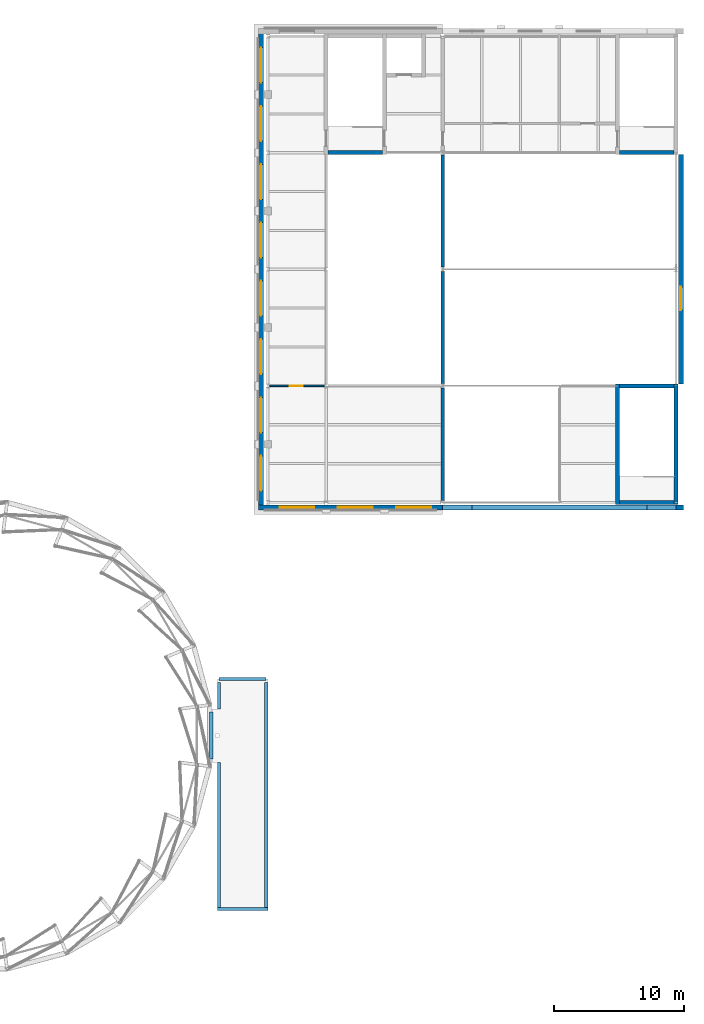
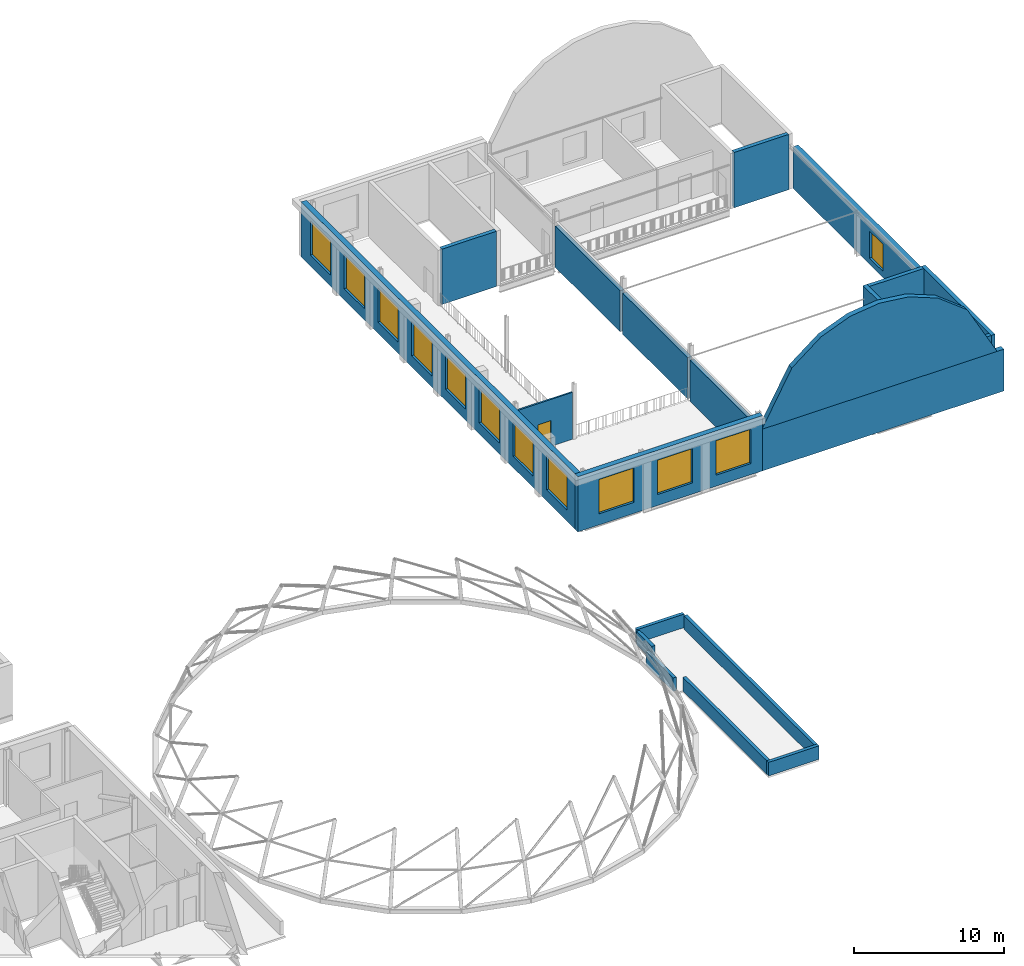
# One storey, part 27 of 59: 21 walls, 12 windows, 1 door, 13 openings.
"""IFC4 building model written with IfcOpenShell, lengths in metres."""

from ifc_helpers import new_model, si_unit, direction, frame, frame_2d, origin, place, context, subcontext, project, spatial, polyline, rectangle, outline, extrude, material, layer, layer_set, type_object, element, fill, save


model = new_model("IFC4")

# Units and contexts
model_context = context("Model", 3, precision=1e-05, world=origin(), true_north=direction((0.0, 1.0)))
body_context = subcontext(model_context, "Body", "Model", "MODEL_VIEW")
ifc_project = project(units=[si_unit("LENGTHUNIT", "METRE"), si_unit("AREAUNIT", "SQUARE_METRE"), si_unit("VOLUMEUNIT", "CUBIC_METRE"), si_unit("PLANEANGLEUNIT", "RADIAN"), si_unit("MASSUNIT", "GRAM", prefix="KILO")], contexts=[model_context])

# Site, building, storey
site_placement = place(None, origin())
site = spatial("IfcSite", under=ifc_project, at=site_placement, CompositionType="ELEMENT")
building_placement = place(site_placement, origin())
building = spatial("IfcBuilding", under=site, at=building_placement, Name="Hortulan Conservatory and Botanical Research Centre", CompositionType="ELEMENT")
storey_placement = place(building_placement, frame((0.0, 0.0, 10.5)))
storey = spatial("IfcBuildingStorey", under=building, at=storey_placement, Name="L02", CompositionType="ELEMENT", Elevation=10.5)

# Walls
ifc_material_1 = material(Name="Brick masonry with acoustic lining", Category="masonry")
ifc_layer_1 = layer(ifc_material_1, 0.300048828125)
ifc_layer_set_1 = layer_set([ifc_layer_1], Name="Acoustic Hall Wall 300")
wall_type_1 = type_object("IfcWallType", Name="Acoustic Hall Wall 300", PredefinedType="STANDARD", material=ifc_layer_set_1)
for number, where, z_axis, x_axis, name in (
    (1, (90.0, 36.17041015625, 0.0), (0.0, 0.0, 1.0), (0.0, 1.0, 0.0), "Auditorium hall wall L02 156"),
    (2, (90.0, 45.17041015625, 0.0), (0.0, 0.0, 1.0), (0.0, 1.0, 0.0), "Auditorium hall wall L02 157"),
    (3, (90.0, 54.17041015625, 0.0), (0.0, 0.0, 1.0), (0.0, 1.0, 0.0), "Auditorium hall wall L02 158"),
):
    element("IfcWall", number, at=place(storey_placement, frame(where, z_axis=z_axis, x_axis=x_axis)), inside=storey, type_object=wall_type_1, Name=name, PredefinedType="STANDARD", context=body_context, shape_type="SweptSolid", body=[
        extrude(rectangle(XDim=8.6591796875, YDim=0.300048828125, at=frame_2d((4.32958984375, 0.0))), origin(), (0.0, 0.0, 1.0), 3.346435546875),
    ])
ifc_material_2 = material(Name="Concrete N40 (40 MPa, AS 3600)", Category="concrete")
ifc_layer_2 = layer(ifc_material_2, 0.300048828125)
ifc_layer_set_2 = layer_set([ifc_layer_2], Name="Core Wall 300 N40 FRL 120/120/120")
wall_type_2 = type_object("IfcWallType", Name="Core Wall 300 N40 FRL 120/120/120", PredefinedType="SHEAR", material=ifc_layer_set_2)
for number, where, z_axis, x_axis, name in (
    (4, (103.5, 35.85009765625, 0.0), (0.0, 0.0, 1.0), (0.0, 1.0, 0.0), "Reinforced concrete shaft wall"),
    (5, (108.0, 35.85009765625, 0.0), (0.0, 0.0, 1.0), (0.0, 1.0, 0.0), "Reinforced concrete shaft wall"),
):
    element("IfcWall", number, at=place(storey_placement, frame(where, z_axis=z_axis, x_axis=x_axis)), inside=storey, type_object=wall_type_2, Name=name, PredefinedType="SHEAR", context=body_context, shape_type="SweptSolid", body=[
        extrude(rectangle(XDim=9.2998046875, YDim=0.300048828125, at=frame_2d((4.64990234375, 0.0))), origin(), (0.0, 0.0, 1.0), 4.5),
    ])
for number, where, z_axis, x_axis, name in (
    (6, (103.64990234375, 36.0, 0.0), (0.0, 0.0, 1.0), (1.0, 0.0, 0.0), "Reinforced concrete shaft wall"),
    (7, (103.64990234375, 45.0, 0.0), (0.0, 0.0, 1.0), (1.0, 0.0, 0.0), "Reinforced concrete shaft wall"),
    (8, (81.14990234375, 63.0, 0.0), (0.0, 0.0, 1.0), (1.0, 0.0, 0.0), "Reinforced concrete shaft wall"),
    (9, (103.64990234375, 63.0, 0.0), (0.0, 0.0, 1.0), (1.0, 0.0, 0.0), "Reinforced concrete shaft wall"),
):
    element("IfcWall", number, at=place(storey_placement, frame(where, z_axis=z_axis, x_axis=x_axis)), inside=storey, type_object=wall_type_2, Name=name, PredefinedType="SHEAR", context=body_context, shape_type="SweptSolid", body=[
        extrude(rectangle(XDim=4.2001953125, YDim=0.300048828125, at=frame_2d((2.10009765625, 0.0))), origin(), (0.0, 0.0, 1.0), 4.5),
    ])

# Wall, openings, windows
ifc_material_3 = material(Name="Faience-faced brickwork masonry", Category="masonry")
ifc_layer_3 = layer(ifc_material_3, 0.39990234375)
ifc_layer_set_3 = layer_set([ifc_layer_3], Name="Faience-faced Masonry Cavity Wall 400")
wall_type_3 = type_object("IfcWallType", Name="Faience-faced Masonry Cavity Wall 400", PredefinedType="STANDARD", material=ifc_layer_set_3)
wall_1_placement = place(storey_placement, frame((90.0, 35.62060546875, 0.0), z_axis=(0.0, 0.0, 1.0), x_axis=(-1.0, 0.0, 0.0)))
wall_1 = element("IfcWall", 10, at=wall_1_placement, inside=storey, type_object=wall_type_3, Name="E-EW-AUD-L02-FS1", PredefinedType="STANDARD", context=body_context, shape_type="SweptSolid", body=[
    extrude(rectangle(XDim=14.22509765625, YDim=0.39990234375, at=frame_2d((7.112548828125, 0.0))), origin(), (0.0, 0.0, 1.0), 4.5),
])
opening_1_placement = place(wall_1_placement, frame((9.89990234375, 0.0, 0.89990234375)))
opening_1 = element("IfcOpeningElement", 11, at=opening_1_placement, cuts=wall_1, Name="Opening W9", PredefinedType="OPENING", context=body_context, shape_type="SweptSolid", body=[
    extrude(rectangle(XDim=2.699951171875, YDim=2.800048828125, at=frame_2d((1.35009765625, 1.39990234375))), frame((0.0, 0.2099609375, 0.0), z_axis=(0.0, -1.0, 0.0), x_axis=(1.0, 0.0, 0.0)), (0.0, 0.0, 1.0), 0.419921875),
])
opening_2_placement = place(wall_1_placement, frame((5.39990234375, 0.0, 0.89990234375)))
opening_2 = element("IfcOpeningElement", 12, at=opening_2_placement, cuts=wall_1, Name="Opening W9", PredefinedType="OPENING", context=body_context, shape_type="SweptSolid", body=[
    extrude(rectangle(XDim=2.699951171875, YDim=2.800048828125, at=frame_2d((1.35009765625, 1.39990234375))), frame((0.0, 0.2099609375, 0.0), z_axis=(0.0, -1.0, 0.0), x_axis=(1.0, 0.0, 0.0)), (0.0, 0.0, 1.0), 0.419921875),
])
opening_3_placement = place(wall_1_placement, frame((0.89990234375, 0.0, 0.89990234375)))
opening_3 = element("IfcOpeningElement", 13, at=opening_3_placement, cuts=wall_1, Name="Opening W9", PredefinedType="OPENING", context=body_context, shape_type="SweptSolid", body=[
    extrude(rectangle(XDim=2.699951171875, YDim=2.800048828125, at=frame_2d((1.35009765625, 1.39990234375))), frame((0.0, 0.2099609375, 0.0), z_axis=(0.0, -1.0, 0.0), x_axis=(1.0, 0.0, 0.0)), (0.0, 0.0, 1.0), 0.419921875),
])
ifc_material_4 = material(Name="Bronze-finished aluminium frame with low-e laminated double glazing", Category="aluminium")
window_type_1 = type_object("IfcWindowType", Name="Faience Window 2700x2800", PartitioningType="SINGLE_PANEL", PredefinedType="WINDOW", material=ifc_material_4)
window_1_placement = place(opening_1_placement, origin())
window_1 = element("IfcWindow", 14, at=window_1_placement, inside=storey, type_object=window_type_1, Name="Faience window", OverallHeight=2.800048828125, OverallWidth=2.699951171875, PartitioningType="SINGLE_PANEL", PredefinedType="WINDOW", context=body_context, shape_type="SweptSolid", body=[
    extrude(rectangle(XDim=2.699951171875, YDim=2.800048828125, at=frame_2d((1.35009765625, 1.39990234375))), frame((0.0, 0.030029296875, 0.0), z_axis=(0.0, -1.0, 0.0), x_axis=(1.0, 0.0, 0.0)), (0.0, 0.0, 1.0), 0.06005859375),
])
fill(opening_1, window_1)
window_2_placement = place(opening_2_placement, origin())
window_2 = element("IfcWindow", 15, at=window_2_placement, inside=storey, type_object=window_type_1, Name="Faience window", OverallHeight=2.800048828125, OverallWidth=2.699951171875, PartitioningType="SINGLE_PANEL", PredefinedType="WINDOW", context=body_context, shape_type="SweptSolid", body=[
    extrude(rectangle(XDim=2.699951171875, YDim=2.800048828125, at=frame_2d((1.35009765625, 1.39990234375))), frame((0.0, 0.030029296875, 0.0), z_axis=(0.0, -1.0, 0.0), x_axis=(1.0, 0.0, 0.0)), (0.0, 0.0, 1.0), 0.06005859375),
])
fill(opening_2, window_2)
window_3_placement = place(opening_3_placement, origin())
window_3 = element("IfcWindow", 16, at=window_3_placement, inside=storey, type_object=window_type_1, Name="Faience window", OverallHeight=2.800048828125, OverallWidth=2.699951171875, PartitioningType="SINGLE_PANEL", PredefinedType="WINDOW", context=body_context, shape_type="SweptSolid", body=[
    extrude(rectangle(XDim=2.699951171875, YDim=2.800048828125, at=frame_2d((1.35009765625, 1.39990234375))), frame((0.0, 0.030029296875, 0.0), z_axis=(0.0, -1.0, 0.0), x_axis=(1.0, 0.0, 0.0)), (0.0, 0.0, 1.0), 0.06005859375),
])
fill(opening_3, window_3)

wall_2_placement = place(storey_placement, frame((75.97509765625, 35.675048828125, 0.0), z_axis=(0.0, 0.0, 1.0), x_axis=(0.0, 1.0, 0.0)))
wall_2 = element("IfcWall", 17, at=wall_2_placement, inside=storey, type_object=wall_type_3, Name="E-EW-AUD-L02-FW2", PredefinedType="STANDARD", context=body_context, shape_type="SweptSolid", body=[
    extrude(rectangle(XDim=36.64990234375, YDim=0.39990234375, at=frame_2d((18.324951171875, 0.0))), origin(), (0.0, 0.0, 1.0), 4.5),
])
opening_4_placement = place(wall_2_placement, frame((1.22509765625, 0.0, 0.89990234375)))
opening_4 = element("IfcOpeningElement", 18, at=opening_4_placement, cuts=wall_2, Name="Opening W9", PredefinedType="OPENING", context=body_context, shape_type="SweptSolid", body=[
    extrude(rectangle(XDim=2.699951171875, YDim=2.800048828125, at=frame_2d((1.35009765625, 1.39990234375))), frame((0.0, 0.2099609375, 0.0), z_axis=(0.0, -1.0, 0.0), x_axis=(1.0, 0.0, 0.0)), (0.0, 0.0, 1.0), 0.419921875),
])
opening_5_placement = place(wall_2_placement, frame((5.72509765625, 0.0, 0.89990234375)))
opening_5 = element("IfcOpeningElement", 19, at=opening_5_placement, cuts=wall_2, Name="Opening W9", PredefinedType="OPENING", context=body_context, shape_type="SweptSolid", body=[
    extrude(rectangle(XDim=2.699951171875, YDim=2.800048828125, at=frame_2d((1.35009765625, 1.39990234375))), frame((0.0, 0.2099609375, 0.0), z_axis=(0.0, -1.0, 0.0), x_axis=(1.0, 0.0, 0.0)), (0.0, 0.0, 1.0), 0.419921875),
])
opening_6_placement = place(wall_2_placement, frame((10.22509765625, 0.0, 0.89990234375)))
opening_6 = element("IfcOpeningElement", 20, at=opening_6_placement, cuts=wall_2, Name="Opening W9", PredefinedType="OPENING", context=body_context, shape_type="SweptSolid", body=[
    extrude(rectangle(XDim=2.699951171875, YDim=2.800048828125, at=frame_2d((1.35009765625, 1.39990234375))), frame((0.0, 0.2099609375, 0.0), z_axis=(0.0, -1.0, 0.0), x_axis=(1.0, 0.0, 0.0)), (0.0, 0.0, 1.0), 0.419921875),
])
opening_7_placement = place(wall_2_placement, frame((14.72509765625, 0.0, 0.89990234375)))
opening_7 = element("IfcOpeningElement", 21, at=opening_7_placement, cuts=wall_2, Name="Opening W9", PredefinedType="OPENING", context=body_context, shape_type="SweptSolid", body=[
    extrude(rectangle(XDim=2.699951171875, YDim=2.800048828125, at=frame_2d((1.35009765625, 1.39990234375))), frame((0.0, 0.2099609375, 0.0), z_axis=(0.0, -1.0, 0.0), x_axis=(1.0, 0.0, 0.0)), (0.0, 0.0, 1.0), 0.419921875),
])
opening_8_placement = place(wall_2_placement, frame((19.22509765625, 0.0, 0.89990234375)))
opening_8 = element("IfcOpeningElement", 22, at=opening_8_placement, cuts=wall_2, Name="Opening W9", PredefinedType="OPENING", context=body_context, shape_type="SweptSolid", body=[
    extrude(rectangle(XDim=2.699951171875, YDim=2.800048828125, at=frame_2d((1.35009765625, 1.39990234375))), frame((0.0, 0.2099609375, 0.0), z_axis=(0.0, -1.0, 0.0), x_axis=(1.0, 0.0, 0.0)), (0.0, 0.0, 1.0), 0.419921875),
])
opening_9_placement = place(wall_2_placement, frame((23.72509765625, 0.0, 0.89990234375)))
opening_9 = element("IfcOpeningElement", 23, at=opening_9_placement, cuts=wall_2, Name="Opening W9", PredefinedType="OPENING", context=body_context, shape_type="SweptSolid", body=[
    extrude(rectangle(XDim=2.699951171875, YDim=2.800048828125, at=frame_2d((1.35009765625, 1.39990234375))), frame((0.0, 0.2099609375, 0.0), z_axis=(0.0, -1.0, 0.0), x_axis=(1.0, 0.0, 0.0)), (0.0, 0.0, 1.0), 0.419921875),
])
opening_10_placement = place(wall_2_placement, frame((28.22509765625, 0.0, 0.89990234375)))
opening_10 = element("IfcOpeningElement", 24, at=opening_10_placement, cuts=wall_2, Name="Opening W9", PredefinedType="OPENING", context=body_context, shape_type="SweptSolid", body=[
    extrude(rectangle(XDim=2.699951171875, YDim=2.800048828125, at=frame_2d((1.35009765625, 1.39990234375))), frame((0.0, 0.2099609375, 0.0), z_axis=(0.0, -1.0, 0.0), x_axis=(1.0, 0.0, 0.0)), (0.0, 0.0, 1.0), 0.419921875),
])
opening_11_placement = place(wall_2_placement, frame((32.72509765625, 0.0, 0.89990234375)))
opening_11 = element("IfcOpeningElement", 25, at=opening_11_placement, cuts=wall_2, Name="Opening W9", PredefinedType="OPENING", context=body_context, shape_type="SweptSolid", body=[
    extrude(rectangle(XDim=2.699951171875, YDim=2.800048828125, at=frame_2d((1.35009765625, 1.39990234375))), frame((0.0, 0.2099609375, 0.0), z_axis=(0.0, -1.0, 0.0), x_axis=(1.0, 0.0, 0.0)), (0.0, 0.0, 1.0), 0.419921875),
])
window_4_placement = place(opening_4_placement, origin())
window_4 = element("IfcWindow", 26, at=window_4_placement, inside=storey, type_object=window_type_1, Name="Faience window", OverallHeight=2.800048828125, OverallWidth=2.699951171875, PartitioningType="SINGLE_PANEL", PredefinedType="WINDOW", context=body_context, shape_type="SweptSolid", body=[
    extrude(rectangle(XDim=2.699951171875, YDim=2.800048828125, at=frame_2d((1.35009765625, 1.39990234375))), frame((0.0, 0.030029296875, 0.0), z_axis=(0.0, -1.0, 0.0), x_axis=(1.0, 0.0, 0.0)), (0.0, 0.0, 1.0), 0.06005859375),
])
fill(opening_4, window_4)
window_5_placement = place(opening_5_placement, origin())
window_5 = element("IfcWindow", 27, at=window_5_placement, inside=storey, type_object=window_type_1, Name="Faience window", OverallHeight=2.800048828125, OverallWidth=2.699951171875, PartitioningType="SINGLE_PANEL", PredefinedType="WINDOW", context=body_context, shape_type="SweptSolid", body=[
    extrude(rectangle(XDim=2.699951171875, YDim=2.800048828125, at=frame_2d((1.35009765625, 1.39990234375))), frame((0.0, 0.030029296875, 0.0), z_axis=(0.0, -1.0, 0.0), x_axis=(1.0, 0.0, 0.0)), (0.0, 0.0, 1.0), 0.06005859375),
])
fill(opening_5, window_5)
window_6_placement = place(opening_6_placement, origin())
window_6 = element("IfcWindow", 28, at=window_6_placement, inside=storey, type_object=window_type_1, Name="Faience window", OverallHeight=2.800048828125, OverallWidth=2.699951171875, PartitioningType="SINGLE_PANEL", PredefinedType="WINDOW", context=body_context, shape_type="SweptSolid", body=[
    extrude(rectangle(XDim=2.699951171875, YDim=2.800048828125, at=frame_2d((1.35009765625, 1.39990234375))), frame((0.0, 0.030029296875, 0.0), z_axis=(0.0, -1.0, 0.0), x_axis=(1.0, 0.0, 0.0)), (0.0, 0.0, 1.0), 0.06005859375),
])
fill(opening_6, window_6)
window_7_placement = place(opening_7_placement, origin())
window_7 = element("IfcWindow", 29, at=window_7_placement, inside=storey, type_object=window_type_1, Name="Faience window", OverallHeight=2.800048828125, OverallWidth=2.699951171875, PartitioningType="SINGLE_PANEL", PredefinedType="WINDOW", context=body_context, shape_type="SweptSolid", body=[
    extrude(rectangle(XDim=2.699951171875, YDim=2.800048828125, at=frame_2d((1.35009765625, 1.39990234375))), frame((0.0, 0.030029296875, 0.0), z_axis=(0.0, -1.0, 0.0), x_axis=(1.0, 0.0, 0.0)), (0.0, 0.0, 1.0), 0.06005859375),
])
fill(opening_7, window_7)
window_8_placement = place(opening_8_placement, origin())
window_8 = element("IfcWindow", 30, at=window_8_placement, inside=storey, type_object=window_type_1, Name="Faience window", OverallHeight=2.800048828125, OverallWidth=2.699951171875, PartitioningType="SINGLE_PANEL", PredefinedType="WINDOW", context=body_context, shape_type="SweptSolid", body=[
    extrude(rectangle(XDim=2.699951171875, YDim=2.800048828125, at=frame_2d((1.35009765625, 1.39990234375))), frame((0.0, 0.030029296875, 0.0), z_axis=(0.0, -1.0, 0.0), x_axis=(1.0, 0.0, 0.0)), (0.0, 0.0, 1.0), 0.06005859375),
])
fill(opening_8, window_8)
window_9_placement = place(opening_9_placement, origin())
window_9 = element("IfcWindow", 31, at=window_9_placement, inside=storey, type_object=window_type_1, Name="Faience window", OverallHeight=2.800048828125, OverallWidth=2.699951171875, PartitioningType="SINGLE_PANEL", PredefinedType="WINDOW", context=body_context, shape_type="SweptSolid", body=[
    extrude(rectangle(XDim=2.699951171875, YDim=2.800048828125, at=frame_2d((1.35009765625, 1.39990234375))), frame((0.0, 0.030029296875, 0.0), z_axis=(0.0, -1.0, 0.0), x_axis=(1.0, 0.0, 0.0)), (0.0, 0.0, 1.0), 0.06005859375),
])
fill(opening_9, window_9)
window_10_placement = place(opening_10_placement, origin())
window_10 = element("IfcWindow", 32, at=window_10_placement, inside=storey, type_object=window_type_1, Name="Faience window", OverallHeight=2.800048828125, OverallWidth=2.699951171875, PartitioningType="SINGLE_PANEL", PredefinedType="WINDOW", context=body_context, shape_type="SweptSolid", body=[
    extrude(rectangle(XDim=2.699951171875, YDim=2.800048828125, at=frame_2d((1.35009765625, 1.39990234375))), frame((0.0, 0.030029296875, 0.0), z_axis=(0.0, -1.0, 0.0), x_axis=(1.0, 0.0, 0.0)), (0.0, 0.0, 1.0), 0.06005859375),
])
fill(opening_10, window_10)
window_11_placement = place(opening_11_placement, origin())
window_11 = element("IfcWindow", 33, at=window_11_placement, inside=storey, type_object=window_type_1, Name="Faience window", OverallHeight=2.800048828125, OverallWidth=2.699951171875, PartitioningType="SINGLE_PANEL", PredefinedType="WINDOW", context=body_context, shape_type="SweptSolid", body=[
    extrude(rectangle(XDim=2.699951171875, YDim=2.800048828125, at=frame_2d((1.35009765625, 1.39990234375))), frame((0.0, 0.030029296875, 0.0), z_axis=(0.0, -1.0, 0.0), x_axis=(1.0, 0.0, 0.0)), (0.0, 0.0, 1.0), 0.06005859375),
])
fill(opening_11, window_11)

# Wall
wall_3_placement = place(storey_placement, frame((108.57958984375, 35.614501953125, 0.0), z_axis=(0.0, 0.0, 1.0), x_axis=(-1.0, 0.0, 0.0)))
element("IfcWall", 34, at=wall_3_placement, inside=storey, type_object=wall_type_3, Name="E-EW-AUD-L02-HS1", PredefinedType="STANDARD", context=body_context, shape_type="SweptSolid", body=[
    extrude(rectangle(XDim=18.57958984375, YDim=0.39990234375, at=frame_2d((9.289794921875, 0.0))), origin(), (0.0, 0.0, 1.0), 3.39990234375),
])

# Wall, opening, window
wall_4_placement = place(storey_placement, frame((108.37939453125, 62.85009765625, 0.0), z_axis=(0.0, 0.0, 1.0), x_axis=(0.0, -1.0, 0.0)))
wall_4 = element("IfcWall", 35, at=wall_4_placement, inside=storey, type_object=wall_type_3, Name="E-EW-AUD-L02-HE3p1", PredefinedType="STANDARD", context=body_context, shape_type="SweptSolid", body=[
    extrude(rectangle(XDim=17.7001953125, YDim=0.39990234375, at=frame_2d((8.85009765625, 0.0))), origin(), (0.0, 0.0, 1.0), 3.39990234375),
])
opening_12_placement = place(wall_4_placement, frame((10.199951171875, 0.0, 0.5)))
opening_12 = element("IfcOpeningElement", 36, at=opening_12_placement, cuts=wall_4, Name="Opening W11", PredefinedType="OPENING", context=body_context, shape_type="SweptSolid", body=[
    extrude(rectangle(XDim=1.800048828125, YDim=2.199951171875, at=frame_2d((0.89990234375, 1.10009765625))), frame((0.0, 0.2099609375, 0.0), z_axis=(0.0, -1.0, 0.0), x_axis=(1.0, 0.0, 0.0)), (0.0, 0.0, 1.0), 0.419921875),
])
window_type_2 = type_object("IfcWindowType", Name="Arched Window 1800x2200", PartitioningType="SINGLE_PANEL", PredefinedType="WINDOW", material=ifc_material_4)
window_12_placement = place(opening_12_placement, origin())
window_12 = element("IfcWindow", 37, at=window_12_placement, inside=storey, type_object=window_type_2, Name="Arched window", OverallHeight=2.199951171875, OverallWidth=1.800048828125, PartitioningType="SINGLE_PANEL", PredefinedType="WINDOW", context=body_context, shape_type="SweptSolid", body=[
    extrude(rectangle(XDim=1.800048828125, YDim=2.199951171875, at=frame_2d((0.89990234375, 1.10009765625))), frame((0.0, 0.030029296875, 0.0), z_axis=(0.0, -1.0, 0.0), x_axis=(1.0, 0.0, 0.0)), (0.0, 0.0, 1.0), 0.06005859375),
])
fill(opening_12, window_12)

# Wall
wall_5_placement = place(storey_placement, frame((108.0, 35.614501953125, 3.39990234375), z_axis=(0.0, 0.0, 1.0), x_axis=(-1.0, 0.0, 0.0)))
element("IfcWall", 38, at=wall_5_placement, inside=storey, type_object=wall_type_3, Name="Gable wall", PredefinedType="STANDARD", context=body_context, shape_type="SweptSolid", body=[
    extrude(outline(polyline([(0.0, 0.0), (18.0, 0.0), (18.0, 0.10009765625), (15.75, 4.191162109375), (13.5, 5.93701171875), (11.25, 6.823486328125), (9.0, 7.10009765625), (6.75, 6.823486328125), (4.5, 5.93701171875), (2.25, 4.191162109375), (0.0, 0.10009765625), (0.0, 0.0)])), frame((0.0, 0.199951171875, 0.0), z_axis=(0.0, -1.0, 0.0), x_axis=(1.0, 0.0, 0.0)), (0.0, 0.0, 1.0), 0.39990234375),
])

# Wall, opening, door
ifc_material_5 = material(Name="Plasterboard on steel studs", Category="steel")
ifc_layer_4 = layer(ifc_material_5, 0.125)
ifc_layer_set_4 = layer_set([ifc_layer_4], Name="Partition 125")
wall_type_4 = type_object("IfcWallType", Name="Partition 125", PredefinedType="PARTITIONING", material=ifc_layer_set_4)
wall_6_placement = place(storey_placement, frame((76.637939453125, 45.0, 0.0), z_axis=(0.0, 0.0, 1.0), x_axis=(1.0, 0.0, 0.0)))
wall_6 = element("IfcWall", 39, at=wall_6_placement, inside=storey, type_object=wall_type_4, Name="Partition Back-of-House Corridor and Green Room L02", PredefinedType="PARTITIONING", context=body_context, shape_type="SweptSolid", body=[
    extrude(rectangle(XDim=4.22412109375, YDim=0.125, at=frame_2d((2.112060546875, 0.0))), origin(), (0.0, 0.0, 1.0), 3.822021484375),
])
opening_13_placement = place(wall_6_placement, frame((1.550048828125, 0.0, 0.0)))
opening_13 = element("IfcOpeningElement", 40, at=opening_13_placement, cuts=wall_6, Name="Opening DT1", PredefinedType="OPENING", context=body_context, shape_type="SweptSolid", body=[
    extrude(rectangle(XDim=1.0, YDim=2.10009765625, at=frame_2d((0.5, 1.050048828125))), frame((0.0, 0.072509765625, 0.0), z_axis=(0.0, -1.0, 0.0), x_axis=(1.0, 0.0, 0.0)), (0.0, 0.0, 1.0), 0.14501953125),
])
ifc_material_6 = material(Name="Timber door leaf in timber frame", Category="wood")
door_type = type_object("IfcDoorType", Name="Single Door 1000x2100", OperationType="NOTDEFINED", PredefinedType="DOOR", material=ifc_material_6)
door_placement = place(opening_13_placement, frame((1.0, 0.0, 0.0), z_axis=(0.0, 0.0, 1.0), x_axis=(-1.0, 0.0, 0.0)))
door = element("IfcDoor", 41, at=door_placement, inside=storey, type_object=door_type, Name="Door DT1 Green Room to Back-of-House Corridor", OperationType="SINGLE_SWING_RIGHT", OverallHeight=2.10009765625, OverallWidth=1.0, PredefinedType="DOOR", context=body_context, shape_type="SweptSolid", body=[
    extrude(rectangle(XDim=1.0, YDim=2.10009765625, at=frame_2d((0.5, 1.050048828125))), frame((0.0, 0.02490234375, 0.0), z_axis=(0.0, -1.0, 0.0), x_axis=(1.0, 0.0, 0.0)), (0.0, 0.0, 1.0), 0.050048828125),
])
fill(opening_13, door)

# Walls
ifc_material_7 = material(Name="Sandstone masonry (Hawkesbury yellow block)", Category="masonry")
ifc_layer_5 = layer(ifc_material_7, 0.25)
ifc_layer_set_5 = layer_set([ifc_layer_5], Name="Sandstone Roof Parapet 250")
wall_type_5 = type_object("IfcWallType", Name="Sandstone Roof Parapet 250", PredefinedType="PARAPET", material=ifc_layer_set_5)
wall_7_placement = place(storey_placement, frame((72.735107421875, 22.375, 0.0), z_axis=(0.0, 0.0, 1.0), x_axis=(1.0, 0.0, 0.0)))
element("IfcWall", 42, at=wall_7_placement, inside=storey, type_object=wall_type_5, Name="Roof parapet", PredefinedType="PARAPET", context=body_context, shape_type="SweptSolid", body=[
    extrude(rectangle(XDim=3.6298828125, YDim=0.25, at=frame_2d((1.81494140625, 0.0))), origin(), (0.0, 0.0, 1.0), 1.10009765625),
])
wall_8_placement = place(storey_placement, frame((76.375, 22.114990234375, 0.0), z_axis=(0.0, 0.0, 1.0), x_axis=(0.0, -1.0, 0.0)))
element("IfcWall", 43, at=wall_8_placement, inside=storey, type_object=wall_type_5, Name="Roof parapet", PredefinedType="PARAPET", context=body_context, shape_type="SweptSolid", body=[
    extrude(rectangle(XDim=17.364990234375, YDim=0.25, at=frame_2d((8.6826171875, 0.0))), origin(), (0.0, 0.0, 1.0), 1.10009765625),
])
wall_9_placement = place(storey_placement, frame((76.5, 4.625, 0.0), z_axis=(0.0, 0.0, 1.0), x_axis=(-1.0, 0.0, 0.0)))
element("IfcWall", 44, at=wall_9_placement, inside=storey, type_object=wall_type_5, Name="Roof parapet", PredefinedType="PARAPET", context=body_context, shape_type="SweptSolid", body=[
    extrude(rectangle(XDim=3.89990234375, YDim=0.25, at=frame_2d((1.949951171875, 0.0))), origin(), (0.0, 0.0, 1.0), 1.10009765625),
])
wall_10_placement = place(storey_placement, frame((72.72509765625, 4.75, 0.0), z_axis=(0.0, 0.0, 1.0), x_axis=(0.0, 1.0, 0.0)))
element("IfcWall", 45, at=wall_10_placement, inside=storey, type_object=wall_type_5, Name="Roof parapet", PredefinedType="PARAPET", context=body_context, shape_type="SweptSolid", body=[
    extrude(rectangle(XDim=11.180419921875, YDim=0.25, at=frame_2d((5.59033203125, 0.0))), origin(), (0.0, 0.0, 1.0), 1.10009765625),
])
wall_11_placement = place(storey_placement, frame((72.125, 16.180419921875, 0.0), z_axis=(0.0, 0.0, 1.0), x_axis=(0.0, 1.0, 0.0)))
element("IfcWall", 46, at=wall_11_placement, inside=storey, type_object=wall_type_5, Name="Roof parapet", PredefinedType="PARAPET", context=body_context, shape_type="SweptSolid", body=[
    extrude(rectangle(XDim=3.63916015625, YDim=0.25, at=frame_2d((1.819580078125, 0.0))), origin(), (0.0, 0.0, 1.0), 1.10009765625),
])
wall_12_placement = place(storey_placement, frame((72.72509765625, 20.069580078125, 0.0), z_axis=(0.0, 0.0, 1.0), x_axis=(0.0, 1.0, 0.0)))
element("IfcWall", 47, at=wall_12_placement, inside=storey, type_object=wall_type_5, Name="Roof parapet", PredefinedType="PARAPET", context=body_context, shape_type="SweptSolid", body=[
    extrude(rectangle(XDim=2.04541015625, YDim=0.25, at=frame_2d((1.022705078125, 0.0))), origin(), (0.0, 0.0, 1.0), 1.10009765625),
])

save(model, "model.ifc")
